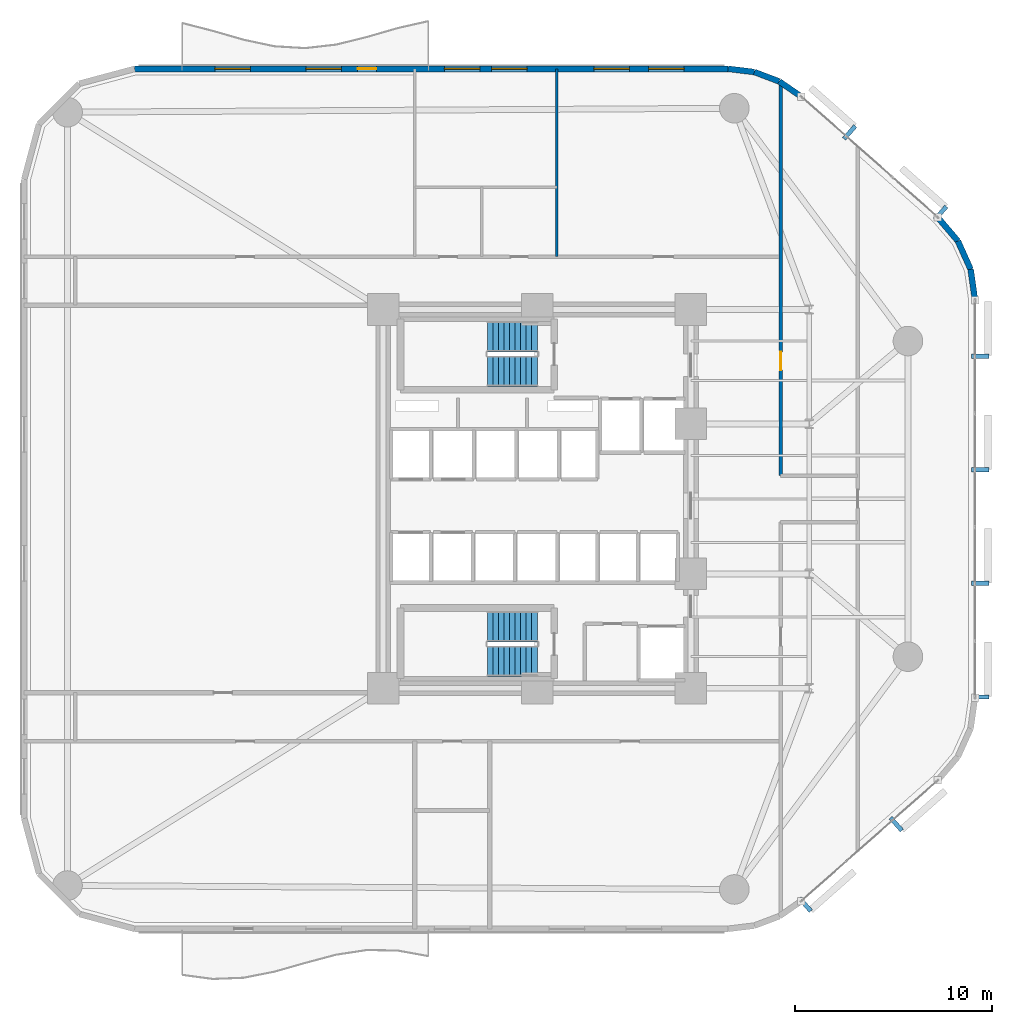
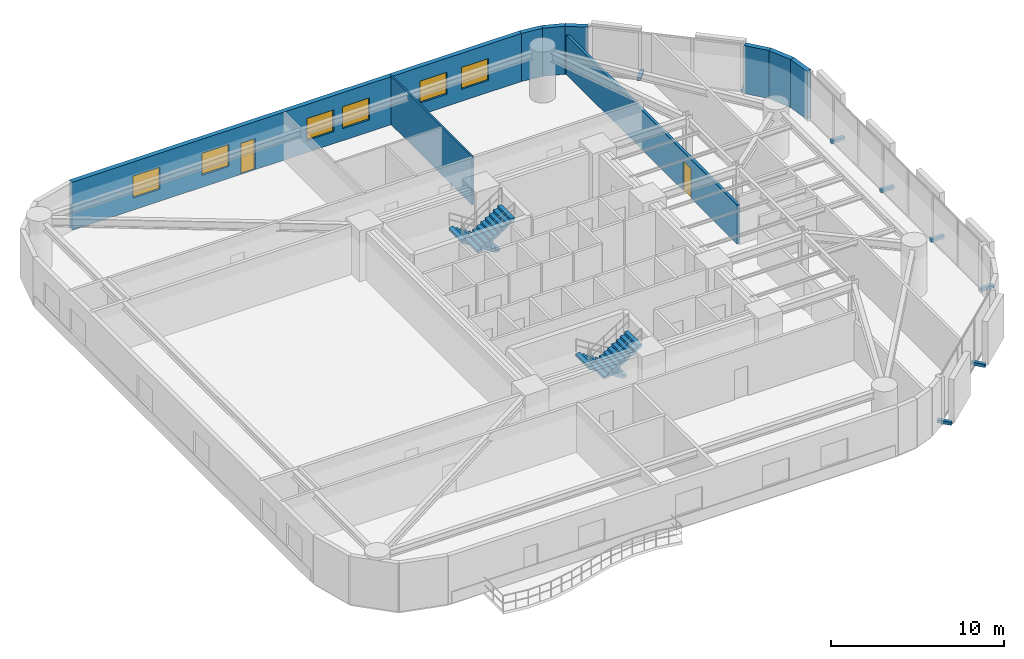
# One storey, part 12 of 15: 9 walls, 8 discrete accessories, 6 windows, 4 stair flights, 2 doors, 8 openings, 2 elements without a shape of their own.
"""IFC4 building model written with IfcOpenShell, lengths in metres."""

import ifcopenshell
import ifcopenshell.guid

model = None  # the IFC model being written
_history = None  # IfcOwnerHistory: only IFC2X3 demands one
_inside = {}  # id of a spatial element -> (the spatial element, [elements in it])
_under = {}  # id of a project, library or spatial element -> (it, [spatial elements below it])
_declared = {}  # id of a project -> (the project, [libraries it declares])
_typed = {}  # id of a type object -> (the type object, [elements of that type])
_made_of = {}  # id of a material, layer set ... -> (it, [elements and type objects made of it])


def new_model(schema):
    """Start an empty IFC model of exactly this schema.

    Asked for "IFC4X3", IfcOpenShell would pick the latest addendum, in which some entities
    have other attributes; the version numbers below select the first issue.
    IFC2X3 requires an IfcOwnerHistory on every rooted entity: one is made here for all.
    """
    global model, _history
    if schema == "IFC4X3":
        model = ifcopenshell.file(schema_version=(4, 3, 0, 0))
    else:
        model = ifcopenshell.file(schema=schema)
    _inside.clear()
    _under.clear()
    _declared.clear()
    _typed.clear()
    _made_of.clear()
    _history = None
    if model.schema == "IFC2X3":
        org = make("IfcOrganization", Name="unknown")
        user = make(
            "IfcPersonAndOrganization",
            ThePerson=make("IfcPerson", FamilyName="unknown"),
            TheOrganization=org,
        )
        app = make(
            "IfcApplication",
            ApplicationDeveloper=org,
            Version="unknown",
            ApplicationFullName="unknown",
            ApplicationIdentifier="unknown",
        )
        _history = make(
            "IfcOwnerHistory",
            OwningUser=user,
            OwningApplication=app,
            ChangeAction="ADDED",
            CreationDate=0,
        )
    return model


def make(cls, **values):
    """One entity of the class cls with the attributes given. An attribute that is None is left unset."""
    return model.create_entity(
        cls, **{name: value for name, value in values.items() if value is not None}
    )


def rooted(cls, **values):
    """An entity with a GlobalId (a new one), such as an element, a storey or a relation."""
    return make(cls, GlobalId=ifcopenshell.guid.new(), OwnerHistory=_history, **values)


def si_unit(unit_type, name, prefix=None):
    """IfcSIUnit, for example si_unit("LENGTHUNIT", "METRE", prefix="MILLI")."""
    return make("IfcSIUnit", UnitType=unit_type, Prefix=prefix, Name=name)


def assignment(units):
    """IfcUnitAssignment: the units of a project."""
    return None if units is None else make("IfcUnitAssignment", Units=units)


def point(xyz):
    """IfcCartesianPoint."""
    return None if xyz is None else make("IfcCartesianPoint", Coordinates=xyz)


def direction(xyz):
    """IfcDirection."""
    return None if xyz is None else make("IfcDirection", DirectionRatios=xyz)


def frame(location, z_axis=None, x_axis=None):
    """IfcAxis2Placement3D, a coordinate frame: its origin and axes. An axis left out is left unset."""
    return make(
        "IfcAxis2Placement3D",
        Location=point(location),
        Axis=direction(z_axis),
        RefDirection=direction(x_axis),
    )


def frame_2d(location, x_axis=None):
    """IfcAxis2Placement2D, a coordinate frame in the plane: its origin and x axis."""
    return make(
        "IfcAxis2Placement2D", Location=point(location), RefDirection=direction(x_axis)
    )


def origin():
    """The frame at (0, 0, 0) with its axes left unset."""
    return frame((0.0, 0.0, 0.0))


def origin_2d():
    """The frame at (0, 0) in the plane with its x axis left unset."""
    return frame_2d((0.0, 0.0))


def place(relative_to, where):
    """IfcLocalPlacement: puts the frame where relative to a parent placement (None: the world)."""
    return make(
        "IfcLocalPlacement", PlacementRelTo=relative_to, RelativePlacement=where
    )


def context(
    kind, dimensions, precision=None, world=None, true_north=None, identifier=None
):
    """IfcGeometricRepresentationContext, for example the 3D "Model" context."""
    return make(
        "IfcGeometricRepresentationContext",
        ContextIdentifier=identifier,
        ContextType=kind,
        CoordinateSpaceDimension=dimensions,
        Precision=precision,
        WorldCoordinateSystem=world,
        TrueNorth=true_north,
    )


def subcontext(parent, identifier, kind, view, scale=None):
    """IfcGeometricRepresentationSubContext, for example "Body" below "Model"."""
    return make(
        "IfcGeometricRepresentationSubContext",
        ContextIdentifier=identifier,
        ContextType=kind,
        ParentContext=parent,
        TargetScale=scale,
        TargetView=view,
    )


def project(units=None, contexts=None):
    """IfcProject with its units and contexts."""
    return rooted(
        "IfcProject",
        Name="project",
        RepresentationContexts=contexts,
        UnitsInContext=assignment(units),
    )


def spatial(cls, under=None, at=None, **own):
    """A site, building, storey or space (cls), placed at a placement, below another one or the project."""
    s = rooted(cls, ObjectPlacement=at, **own)
    if under is not None:
        _under.setdefault(under.id(), (under, []))[1].append(s)
    return s


def polyline(points):
    """IfcPolyline through the points."""
    return make("IfcPolyline", Points=[point(p) for p in points])


def profile(cls, at=None, kind="AREA", **sizes):
    """A parametric profile (cls). Its sizes go by their IFC names, for example OverallWidth=200.0."""
    return make(cls, ProfileType=kind, Position=at, **sizes)


def rectangle(**sizes):
    """IfcRectangleProfileDef."""
    return profile("IfcRectangleProfileDef", **sizes)


def outline(outer, holes=None, kind="AREA"):
    """IfcArbitraryClosedProfileDef: a profile drawn as a closed curve; with holes, ...WithVoids."""
    if holes is None:
        return make("IfcArbitraryClosedProfileDef", ProfileType=kind, OuterCurve=outer)
    return make(
        "IfcArbitraryProfileDefWithVoids",
        ProfileType=kind,
        OuterCurve=outer,
        InnerCurves=holes,
    )


def extrude(swept, where, along, depth):
    """IfcExtrudedAreaSolid: the profile swept, set in the frame where, extruded along a direction by depth."""
    return make(
        "IfcExtrudedAreaSolid",
        SweptArea=swept,
        Position=where,
        ExtrudedDirection=direction(along),
        Depth=depth,
    )


def shape(context_of_items, identifier, shape_type, items):
    """IfcShapeRepresentation: the items that make up one representation, for example the "Body"."""
    return make(
        "IfcShapeRepresentation",
        ContextOfItems=context_of_items,
        RepresentationIdentifier=identifier,
        RepresentationType=shape_type,
        Items=items,
    )


def material(Name=None, Category=None):
    """IfcMaterial."""
    return make("IfcMaterial", Name=Name, Category=Category)


def layer(
    of_material, thickness, ventilated=None, Name=None, Category=None, Priority=None
):
    """IfcMaterialLayer: one layer of a wall or slab, of a material (None: an air gap)."""
    return make(
        "IfcMaterialLayer",
        Material=of_material,
        LayerThickness=thickness,
        IsVentilated=ventilated,
        Name=Name,
        Category=Category,
        Priority=Priority,
    )


def layer_set(layers, Name=None):
    """IfcMaterialLayerSet."""
    return make("IfcMaterialLayerSet", MaterialLayers=layers, LayerSetName=Name)


def made_of(thing, what):
    """Note that an element or type object is made of a material, layer set ...; save() writes the relation."""
    if what is not None:
        _made_of.setdefault(what.id(), (what, []))[1].append(thing)
    return thing


def type_object(cls, material=None, **own):
    """A type object (cls), such as IfcWallType, which elements share."""
    return made_of(rooted(cls, **own), material)


def element(
    cls,
    number,
    at=None,
    inside=None,
    cuts=None,
    type_object=None,
    material=None,
    context=None,
    identifier="Body",
    shape_type=None,
    held_by="IfcProductDefinitionShape",
    body=None,
    shapes=None,
    **own,
):
    """One element of the class cls, such as IfcWall. Its Tag is "e" and its number.

    at: its placement. inside: the storey or other place that contains it. cuts: it is an
    opening in that element (IfcRelVoidsElement). A single representation is given by context,
    identifier, shape_type and body (its items); several are given by shapes. held_by: the class
    of the entity that holds the representations. save() writes the other relations.
    """
    e = rooted(cls, Tag="e%d" % number, ObjectPlacement=at, **own)
    if body is not None:
        shapes = [shape(context, identifier, shape_type, body)]
    if shapes is not None:
        e.Representation = make(held_by, Representations=shapes)
    if inside is not None:
        _inside.setdefault(inside.id(), (inside, []))[1].append(e)
    if cuts is not None:
        rooted(
            "IfcRelVoidsElement", RelatingBuildingElement=cuts, RelatedOpeningElement=e
        )
    if type_object is not None:
        _typed.setdefault(type_object.id(), (type_object, []))[1].append(e)
    return made_of(e, material)


def fill(opening, filler):
    """IfcRelFillsElement: the door or window that sits in an opening."""
    return rooted(
        "IfcRelFillsElement",
        RelatingOpeningElement=opening,
        RelatedBuildingElement=filler,
    )


def aggregate(whole, parts):
    """IfcRelAggregates: a whole, such as a stair, and the parts it consists of."""
    return rooted("IfcRelAggregates", RelatingObject=whole, RelatedObjects=parts)


def save(model, path):
    """Write the relations noted so far, then the file.

    IfcRelAggregates (storeys below a building ...), IfcRelContainedInSpatialStructure (elements
    in a storey), IfcRelDefinesByType, IfcRelAssociatesMaterial and IfcRelDeclares: one each for
    every whole, place, type object, material and project.
    """
    for whole, parts in _under.values():
        aggregate(whole, parts)
    for where, things in _inside.values():
        rooted(
            "IfcRelContainedInSpatialStructure",
            RelatedElements=things,
            RelatingStructure=where,
        )
    for kind, things in _typed.values():
        rooted("IfcRelDefinesByType", RelatedObjects=things, RelatingType=kind)
    for what, things in _made_of.values():
        rooted("IfcRelAssociatesMaterial", RelatedObjects=things, RelatingMaterial=what)
    for by, libraries in _declared.values():
        rooted("IfcRelDeclares", RelatingContext=by, RelatedDefinitions=libraries)
    model.write(path)


model = new_model("IFC4")

# Units and contexts
model_context = context("Model", 3, precision=1e-05, world=origin(), true_north=direction((0.0, 1.0)))
body_context = subcontext(model_context, "Body", "Model", "MODEL_VIEW")
ifc_project = project(units=[si_unit("LENGTHUNIT", "METRE"), si_unit("AREAUNIT", "SQUARE_METRE"), si_unit("VOLUMEUNIT", "CUBIC_METRE"), si_unit("PLANEANGLEUNIT", "RADIAN"), si_unit("MASSUNIT", "GRAM", prefix="KILO")], contexts=[model_context])

# Site, building, storey
site_placement = place(None, origin())
site = spatial("IfcSite", under=ifc_project, at=site_placement, CompositionType="ELEMENT")
building_placement = place(site_placement, origin())
building = spatial("IfcBuilding", under=site, at=building_placement, Name="An Khanh Terracotta Commons", CompositionType="ELEMENT")
storey_placement = place(building_placement, frame((0.0, 0.0, 64.800048828125)))
storey = spatial("IfcBuildingStorey", under=building, at=storey_placement, Name="L17", CompositionType="ELEMENT", Elevation=64.800048828125)

# Wall, opening, door
ifc_material_1 = material(Name="Fire-Rated Gypsum Board on Steel Stud", Category="steel")
ifc_layer_1 = layer(ifc_material_1, 0.179931640625, Name="Fire-Rated Gypsum Board on Steel Stud")
ifc_layer_set_1 = layer_set([ifc_layer_1], Name="Fire-Rated Gypsum Board on Steel Stud")
wall_type_1 = type_object("IfcWallType", Name="WALL-CORR-180", PredefinedType="PARTITIONING", material=ifc_layer_set_1)
wall_1_placement = place(storey_placement, frame((41.75, 25.179931640625, 0.0), z_axis=(0.0, 0.0, 1.0), x_axis=(0.0, 1.0, 0.0)))
wall_1 = element("IfcWall", 1, at=wall_1_placement, inside=storey, type_object=wall_type_1, Name="L17 Interior Partition IW-L17-E017", PredefinedType="PARTITIONING", context=body_context, shape_type="SweptSolid", body=[
    extrude(rectangle(XDim=19.93115234375, YDim=0.179931640625, at=frame_2d((9.965576171875, 0.0))), origin(), (0.0, 0.0, 1.0), 2.781982421875),
])
opening_1_placement = place(wall_1_placement, frame((5.35009765625, 0.0, 0.0)))
opening_1 = element("IfcOpeningElement", 2, at=opening_1_placement, cuts=wall_1, Name="Opening D-RM", PredefinedType="OPENING", context=body_context, shape_type="SweptSolid", body=[
    extrude(rectangle(XDim=0.919921875, YDim=2.10009765625, at=frame_2d((0.4599609375, 1.050048828125))), frame((0.0, 0.099853515625, 0.0), z_axis=(0.0, -1.0, 0.0), x_axis=(1.0, 0.0, 0.0)), (0.0, 0.0, 1.0), 0.199951171875),
])
ifc_material_2 = material(Name="Engineered Hardwood Timber Leaf", Category="wood")
door_type_1 = type_object("IfcDoorType", Name="DOOR-INT-920", OperationType="NOTDEFINED", PredefinedType="DOOR", material=ifc_material_2)
door_1_placement = place(opening_1_placement, origin())
door_1 = element("IfcDoor", 3, at=door_1_placement, inside=storey, type_object=door_type_1, Name="L17 SPN1 Research Study Office Door", OperationType="SINGLE_SWING_RIGHT", OverallHeight=2.10009765625, OverallWidth=0.919921875, PredefinedType="DOOR", context=body_context, shape_type="SweptSolid", body=[
    extrude(rectangle(XDim=0.919921875, YDim=2.10009765625, at=frame_2d((0.4599609375, 1.050048828125))), frame((0.0, 0.02490234375, 0.0), z_axis=(0.0, -1.0, 0.0), x_axis=(1.0, 0.0, 0.0)), (0.0, 0.0, 1.0), 0.050048828125),
])
fill(opening_1, door_1)

# Walls
ifc_material_3 = material(Name="Precast concrete C40/50", Category="concrete")
ifc_layer_2 = layer(ifc_material_3, 0.300048828125, Name="Precast concrete C40/50")
ifc_layer_set_2 = layer_set([ifc_layer_2], Name="Precast concrete C40/50")
wall_type_2 = type_object("IfcWallType", Name="WALL-EXT-300", PredefinedType="SOLIDWALL", material=ifc_layer_set_2)
wall_2_placement = place(storey_placement, frame((51.60009765625, 34.076904296875, 0.0), z_axis=(0.0, 0.0, 1.0), x_axis=(-0.140380048512, 0.990097693149, 0.0)))
element("IfcWall", 4, at=wall_2_placement, inside=storey, type_object=wall_type_2, Name="L17 Insulated Terracotta Exterior Wall 13", PredefinedType="SOLIDWALL", context=body_context, shape_type="SweptSolid", body=[
    extrude(rectangle(XDim=1.57568359375, YDim=0.300048828125, at=frame_2d((0.787841796875, 0.0))), origin(), (0.0, 0.0, 1.0), 3.39990234375),
])
wall_3_placement = place(storey_placement, frame((51.37890625, 35.636962890625, 0.0), z_axis=(0.0, 0.0, 1.0), x_axis=(-0.410996558744, 0.911636895206, 0.0)))
element("IfcWall", 5, at=wall_3_placement, inside=storey, type_object=wall_type_2, Name="L17 Insulated Terracotta Exterior Wall 14", PredefinedType="SOLIDWALL", context=body_context, shape_type="SweptSolid", body=[
    extrude(rectangle(XDim=1.57421875, YDim=0.300048828125, at=frame_2d((0.787109375, 0.0))), origin(), (0.0, 0.0, 1.0), 3.39990234375),
])
wall_4_placement = place(storey_placement, frame((50.73193359375, 37.072021484375, 0.0), z_axis=(0.0, 0.0, 1.0), x_axis=(-0.648389989909, 0.7613083613, 0.0)))
element("IfcWall", 6, at=wall_4_placement, inside=storey, type_object=wall_type_2, Name="L17 Insulated Terracotta Exterior Wall 15", PredefinedType="SOLIDWALL", context=body_context, shape_type="SweptSolid", body=[
    extrude(rectangle(XDim=1.576171875, YDim=0.300048828125, at=frame_2d((0.7880859375, 0.0))), origin(), (0.0, 0.0, 1.0), 3.39990234375),
])
wall_5_placement = place(storey_placement, frame((42.7890625, 44.39404296875, 0.0), z_axis=(0.0, 0.0, 1.0), x_axis=(-0.823116500192, 0.567872544777, 0.0)))
element("IfcWall", 7, at=wall_5_placement, inside=storey, type_object=wall_type_2, Name="L17 Insulated Terracotta Exterior Wall 17", PredefinedType="SOLIDWALL", context=body_context, shape_type="SweptSolid", body=[
    extrude(rectangle(XDim=1.3486328125, YDim=0.300048828125, at=frame_2d((0.67431640625, 0.0))), origin(), (0.0, 0.0, 1.0), 3.39990234375),
])
wall_6_placement = place(storey_placement, frame((41.678955078125, 45.159912109375, 0.0), z_axis=(0.0, 0.0, 1.0), x_axis=(-0.935156721165, 0.354234254216, 0.0)))
element("IfcWall", 8, at=wall_6_placement, inside=storey, type_object=wall_type_2, Name="L17 Insulated Terracotta Exterior Wall 18", PredefinedType="SOLIDWALL", context=body_context, shape_type="SweptSolid", body=[
    extrude(rectangle(XDim=1.349365234375, YDim=0.300048828125, at=frame_2d((0.6748046875, 0.0))), origin(), (0.0, 0.0, 1.0), 3.39990234375),
])
wall_7_placement = place(storey_placement, frame((40.4169921875, 45.637939453125, 0.0), z_axis=(0.0, 0.0, 1.0), x_axis=(-0.992739027259, 0.120288086515, 0.0)))
element("IfcWall", 9, at=wall_7_placement, inside=storey, type_object=wall_type_2, Name="L17 Insulated Terracotta Exterior Wall 19", PredefinedType="SOLIDWALL", context=body_context, shape_type="SweptSolid", body=[
    extrude(rectangle(XDim=1.34765625, YDim=0.300048828125, at=frame_2d((0.673828125, 0.0))), origin(), (0.0, 0.0, 1.0), 3.39990234375),
])

# Wall, openings, door, windows
wall_8_placement = place(storey_placement, frame((39.0791015625, 45.800048828125, 0.0), z_axis=(0.0, 0.0, 1.0), x_axis=(-1.0, 0.0, 0.0)))
wall_8 = element("IfcWall", 10, at=wall_8_placement, inside=storey, type_object=wall_type_2, Name="L17 Insulated Terracotta Exterior Wall 20", PredefinedType="SOLIDWALL", context=body_context, shape_type="SweptSolid", body=[
    extrude(rectangle(XDim=30.0791015625, YDim=0.300048828125, at=frame_2d((15.03955078125, 0.0))), origin(), (0.0, 0.0, 1.0), 3.39990234375),
])
opening_2_placement = place(wall_8_placement, frame((17.8291015625, 0.0, 0.0)))
opening_2 = element("IfcOpeningElement", 11, at=opening_2_placement, cuts=wall_8, Name="Opening D-BAL", PredefinedType="OPENING", context=body_context, shape_type="SweptSolid", body=[
    extrude(rectangle(XDim=0.949951171875, YDim=2.199951171875, at=frame_2d((0.47509765625, 1.10009765625))), frame((0.0, 0.159912109375, 0.0), z_axis=(0.0, -1.0, 0.0), x_axis=(1.0, 0.0, 0.0)), (0.0, 0.0, 1.0), 0.320068359375),
])
opening_3_placement = place(wall_8_placement, frame((2.22607421875, 0.0, 0.85009765625)))
opening_3 = element("IfcOpeningElement", 12, at=opening_3_placement, cuts=wall_8, Name="Opening W-01", PredefinedType="OPENING", context=body_context, shape_type="SweptSolid", body=[
    extrude(rectangle(XDim=1.800048828125, YDim=1.550048828125, at=frame_2d((0.89990234375, 0.77490234375))), frame((0.0, 0.159912109375, 0.0), z_axis=(0.0, -1.0, 0.0), x_axis=(1.0, 0.0, 0.0)), (0.0, 0.0, 1.0), 0.320068359375),
])
opening_4_placement = place(wall_8_placement, frame((5.0029296875, 0.0, 0.85009765625)))
opening_4 = element("IfcOpeningElement", 13, at=opening_4_placement, cuts=wall_8, Name="Opening W-01", PredefinedType="OPENING", context=body_context, shape_type="SweptSolid", body=[
    extrude(rectangle(XDim=1.800048828125, YDim=1.550048828125, at=frame_2d((0.89990234375, 0.77490234375))), frame((0.0, 0.159912109375, 0.0), z_axis=(0.0, -1.0, 0.0), x_axis=(1.0, 0.0, 0.0)), (0.0, 0.0, 1.0), 0.320068359375),
])
opening_5_placement = place(wall_8_placement, frame((10.178955078125, 0.0, 0.85009765625)))
opening_5 = element("IfcOpeningElement", 14, at=opening_5_placement, cuts=wall_8, Name="Opening W-01", PredefinedType="OPENING", context=body_context, shape_type="SweptSolid", body=[
    extrude(rectangle(XDim=1.800048828125, YDim=1.550048828125, at=frame_2d((0.89990234375, 0.77490234375))), frame((0.0, 0.159912109375, 0.0), z_axis=(0.0, -1.0, 0.0), x_axis=(1.0, 0.0, 0.0)), (0.0, 0.0, 1.0), 0.320068359375),
])
opening_6_placement = place(wall_8_placement, frame((12.5791015625, 0.0, 0.85009765625)))
opening_6 = element("IfcOpeningElement", 15, at=opening_6_placement, cuts=wall_8, Name="Opening W-01", PredefinedType="OPENING", context=body_context, shape_type="SweptSolid", body=[
    extrude(rectangle(XDim=1.800048828125, YDim=1.550048828125, at=frame_2d((0.89990234375, 0.77490234375))), frame((0.0, 0.159912109375, 0.0), z_axis=(0.0, -1.0, 0.0), x_axis=(1.0, 0.0, 0.0)), (0.0, 0.0, 1.0), 0.320068359375),
])
opening_7_placement = place(wall_8_placement, frame((19.595947265625, 0.0, 0.85009765625)))
opening_7 = element("IfcOpeningElement", 16, at=opening_7_placement, cuts=wall_8, Name="Opening W-01", PredefinedType="OPENING", context=body_context, shape_type="SweptSolid", body=[
    extrude(rectangle(XDim=1.800048828125, YDim=1.550048828125, at=frame_2d((0.89990234375, 0.77490234375))), frame((0.0, 0.159912109375, 0.0), z_axis=(0.0, -1.0, 0.0), x_axis=(1.0, 0.0, 0.0)), (0.0, 0.0, 1.0), 0.320068359375),
])
opening_8_placement = place(wall_8_placement, frame((24.2119140625, 0.0, 0.85009765625)))
opening_8 = element("IfcOpeningElement", 17, at=opening_8_placement, cuts=wall_8, Name="Opening W-01", PredefinedType="OPENING", context=body_context, shape_type="SweptSolid", body=[
    extrude(rectangle(XDim=1.800048828125, YDim=1.550048828125, at=frame_2d((0.89990234375, 0.77490234375))), frame((0.0, 0.159912109375, 0.0), z_axis=(0.0, -1.0, 0.0), x_axis=(1.0, 0.0, 0.0)), (0.0, 0.0, 1.0), 0.320068359375),
])
ifc_material_4 = material(Name="Thermally Broken Aluminium and Low-E Glass", Category="aluminium")
door_type_2 = type_object("IfcDoorType", Name="DOOR-BALC-950", OperationType="NOTDEFINED", PredefinedType="DOOR", material=ifc_material_4)
door_2_placement = place(opening_2_placement, origin())
door_2 = element("IfcDoor", 18, at=door_2_placement, inside=storey, type_object=door_type_2, Name="L17 N Wave Balcony Glazed Door", OperationType="SINGLE_SWING_RIGHT", OverallHeight=2.199951171875, OverallWidth=0.949951171875, PredefinedType="DOOR", context=body_context, shape_type="SweptSolid", body=[
    extrude(rectangle(XDim=0.949951171875, YDim=2.199951171875, at=frame_2d((0.47509765625, 1.10009765625))), frame((0.0, 0.02490234375, 0.0), z_axis=(0.0, -1.0, 0.0), x_axis=(1.0, 0.0, 0.0)), (0.0, 0.0, 1.0), 0.050048828125),
])
fill(opening_2, door_2)
window_type = type_object("IfcWindowType", Name="WIN-Z1-1800x1550", PartitioningType="DOUBLE_PANEL_VERTICAL", PredefinedType="WINDOW", material=ifc_material_4)
window_1_placement = place(opening_3_placement, origin())
window_1 = element("IfcWindow", 19, at=window_1_placement, inside=storey, type_object=window_type, Name="L17 Operable Casement Window 20.1", OverallHeight=1.550048828125, OverallWidth=1.800048828125, PartitioningType="DOUBLE_PANEL_VERTICAL", PredefinedType="WINDOW", context=body_context, shape_type="SweptSolid", body=[
    extrude(rectangle(XDim=1.800048828125, YDim=1.550048828125, at=frame_2d((0.89990234375, 0.77490234375))), frame((0.0, 0.030029296875, 0.0), z_axis=(0.0, -1.0, 0.0), x_axis=(1.0, 0.0, 0.0)), (0.0, 0.0, 1.0), 0.06005859375),
])
fill(opening_3, window_1)
window_2_placement = place(opening_4_placement, origin())
window_2 = element("IfcWindow", 20, at=window_2_placement, inside=storey, type_object=window_type, Name="L17 Operable Casement Window 20.2", OverallHeight=1.550048828125, OverallWidth=1.800048828125, PartitioningType="DOUBLE_PANEL_VERTICAL", PredefinedType="WINDOW", context=body_context, shape_type="SweptSolid", body=[
    extrude(rectangle(XDim=1.800048828125, YDim=1.550048828125, at=frame_2d((0.89990234375, 0.77490234375))), frame((0.0, 0.030029296875, 0.0), z_axis=(0.0, -1.0, 0.0), x_axis=(1.0, 0.0, 0.0)), (0.0, 0.0, 1.0), 0.06005859375),
])
fill(opening_4, window_2)
window_3_placement = place(opening_5_placement, origin())
window_3 = element("IfcWindow", 21, at=window_3_placement, inside=storey, type_object=window_type, Name="L17 Operable Casement Window 20.3", OverallHeight=1.550048828125, OverallWidth=1.800048828125, PartitioningType="DOUBLE_PANEL_VERTICAL", PredefinedType="WINDOW", context=body_context, shape_type="SweptSolid", body=[
    extrude(rectangle(XDim=1.800048828125, YDim=1.550048828125, at=frame_2d((0.89990234375, 0.77490234375))), frame((0.0, 0.030029296875, 0.0), z_axis=(0.0, -1.0, 0.0), x_axis=(1.0, 0.0, 0.0)), (0.0, 0.0, 1.0), 0.06005859375),
])
fill(opening_5, window_3)
window_4_placement = place(opening_6_placement, origin())
window_4 = element("IfcWindow", 22, at=window_4_placement, inside=storey, type_object=window_type, Name="L17 Operable Casement Window 20.4", OverallHeight=1.550048828125, OverallWidth=1.800048828125, PartitioningType="DOUBLE_PANEL_VERTICAL", PredefinedType="WINDOW", context=body_context, shape_type="SweptSolid", body=[
    extrude(rectangle(XDim=1.800048828125, YDim=1.550048828125, at=frame_2d((0.89990234375, 0.77490234375))), frame((0.0, 0.030029296875, 0.0), z_axis=(0.0, -1.0, 0.0), x_axis=(1.0, 0.0, 0.0)), (0.0, 0.0, 1.0), 0.06005859375),
])
fill(opening_6, window_4)
window_5_placement = place(opening_7_placement, origin())
window_5 = element("IfcWindow", 23, at=window_5_placement, inside=storey, type_object=window_type, Name="L17 Operable Casement Window 20.5", OverallHeight=1.550048828125, OverallWidth=1.800048828125, PartitioningType="DOUBLE_PANEL_VERTICAL", PredefinedType="WINDOW", context=body_context, shape_type="SweptSolid", body=[
    extrude(rectangle(XDim=1.800048828125, YDim=1.550048828125, at=frame_2d((0.89990234375, 0.77490234375))), frame((0.0, 0.030029296875, 0.0), z_axis=(0.0, -1.0, 0.0), x_axis=(1.0, 0.0, 0.0)), (0.0, 0.0, 1.0), 0.06005859375),
])
fill(opening_7, window_5)
window_6_placement = place(opening_8_placement, origin())
window_6 = element("IfcWindow", 24, at=window_6_placement, inside=storey, type_object=window_type, Name="L17 Operable Casement Window 20.6", OverallHeight=1.550048828125, OverallWidth=1.800048828125, PartitioningType="DOUBLE_PANEL_VERTICAL", PredefinedType="WINDOW", context=body_context, shape_type="SweptSolid", body=[
    extrude(rectangle(XDim=1.800048828125, YDim=1.550048828125, at=frame_2d((0.89990234375, 0.77490234375))), frame((0.0, 0.030029296875, 0.0), z_axis=(0.0, -1.0, 0.0), x_axis=(1.0, 0.0, 0.0)), (0.0, 0.0, 1.0), 0.06005859375),
])
fill(opening_8, window_6)

# Wall
ifc_material_5 = material(Name="Moisture-Resistant Cement Board Partition")
ifc_layer_3 = layer(ifc_material_5, 0.1201171875, Name="Moisture-Resistant Cement Board Partition")
ifc_layer_set_3 = layer_set([ifc_layer_3], Name="Moisture-Resistant Cement Board Partition")
wall_type_3 = type_object("IfcWallType", Name="WALL-WET-120", PredefinedType="PARTITIONING", material=ifc_layer_set_3)
wall_9_placement = place(storey_placement, frame((30.39990234375, 36.280029296875, 0.0), z_axis=(0.0, 0.0, 1.0), x_axis=(0.0, 1.0, 0.0)))
element("IfcWall", 25, at=wall_9_placement, inside=storey, type_object=wall_type_3, Name="L17 Interior Partition IW-L17-E015", PredefinedType="PARTITIONING", context=body_context, shape_type="SweptSolid", body=[
    extrude(rectangle(XDim=9.52001953125, YDim=0.1201171875, at=frame_2d((4.760009765625, 0.0))), origin(), (0.0, 0.0, 1.0), 3.39990234375),
])

# Stair, stair flights
stair_type = type_object("IfcStairType", Name="STAIR-CORE-1550", PredefinedType="HALF_TURN_STAIR", material=ifc_material_3)
stair_1_placement = place(storey_placement, origin())
stair_1 = element("IfcStair", 26, at=stair_1_placement, inside=storey, type_object=stair_type, Name="L17 Core Smokeproof Exit Stair ST-01", PredefinedType="HALF_TURN_STAIR")
stair_flight_type = type_object("IfcStairFlightType", Name="FLIGHT-CORE-1550", PredefinedType="STRAIGHT", material=ifc_material_3)
stair_flight_1_placement = place(storey_placement, frame((29.409912109375, 32.22509765625, 0.0), z_axis=(0.0, 0.0, 1.0), x_axis=(-1.0, 0.0, 0.0)))
stair_flight_1 = element("IfcStairFlight", 27, at=stair_flight_1_placement, type_object=stair_flight_type, Name="ST-01 flight 1", NumberOfRisers=10, NumberOfTreads=9, PredefinedType="STRAIGHT", RiserHeight=0.18, TreadLength=0.28, context=body_context, shape_type="SweptSolid", body=[
    extrude(outline(polyline([(0.0, 0.0), (0.0, 0.179931640625), (0.280029296875, 0.179931640625), (0.280029296875, 0.360107421875), (0.56005859375, 0.360107421875), (0.56005859375, 0.5400390625), (0.840087890625, 0.5400390625), (0.840087890625, 0.719970703125), (1.1201171875, 0.719970703125), (1.1201171875, 0.89990234375), (1.39990234375, 0.89990234375), (1.39990234375, 1.080078125), (1.679931640625, 1.080078125), (1.679931640625, 1.260009765625), (1.9599609375, 1.260009765625), (1.9599609375, 1.43994140625), (2.239990234375, 1.43994140625), (2.239990234375, 1.6201171875), (2.52001953125, 1.6201171875), (2.52001953125, 1.800048828125), (2.52001953125, 1.44189453125), (0.277099609375, 0.0), (0.0, 0.0)])), frame((0.0, 0.77490234375, 0.0), z_axis=(0.0, -1.0, 0.0), x_axis=(1.0, 0.0, 0.0)), (0.0, 0.0, 1.0), 1.550048828125),
])
stair_flight_2_placement = place(storey_placement, frame((26.889892578125, 30.47509765625, 1.800048828125), z_axis=(0.0, 0.0, 1.0), x_axis=(1.0, 0.0, 0.0)))
stair_flight_2 = element("IfcStairFlight", 28, at=stair_flight_2_placement, type_object=stair_flight_type, Name="ST-01 flight 2", NumberOfRisers=10, NumberOfTreads=9, PredefinedType="STRAIGHT", RiserHeight=0.18, TreadLength=0.28, context=body_context, shape_type="SweptSolid", body=[
    extrude(outline(polyline([(0.0, 0.0), (0.0, 0.179931640625), (0.280029296875, 0.179931640625), (0.280029296875, 0.360107421875), (0.56005859375, 0.360107421875), (0.56005859375, 0.5400390625), (0.840087890625, 0.5400390625), (0.840087890625, 0.719970703125), (1.1201171875, 0.719970703125), (1.1201171875, 0.89990234375), (1.39990234375, 0.89990234375), (1.39990234375, 1.080078125), (1.679931640625, 1.080078125), (1.679931640625, 1.260009765625), (1.9599609375, 1.260009765625), (1.9599609375, 1.43994140625), (2.239990234375, 1.43994140625), (2.239990234375, 1.6201171875), (2.52001953125, 1.6201171875), (2.52001953125, 1.800048828125), (2.52001953125, 1.44189453125), (0.277099609375, 0.0), (0.0, 0.0)])), frame((0.0, 0.77490234375, 0.0), z_axis=(0.0, -1.0, 0.0), x_axis=(1.0, 0.0, 0.0)), (0.0, 0.0, 1.0), 1.550048828125),
])
aggregate(stair_1, [stair_flight_1, stair_flight_2])

stair_2_placement = place(storey_placement, origin())
stair_2 = element("IfcStair", 29, at=stair_2_placement, inside=storey, type_object=stair_type, Name="L17 Core Smokeproof Exit Stair ST-02", PredefinedType="HALF_TURN_STAIR")
stair_flight_3_placement = place(storey_placement, frame((29.409912109375, 17.52490234375, 0.0), z_axis=(0.0, 0.0, 1.0), x_axis=(-1.0, 0.0, 0.0)))
stair_flight_3 = element("IfcStairFlight", 30, at=stair_flight_3_placement, type_object=stair_flight_type, Name="ST-02 flight 1", NumberOfRisers=10, NumberOfTreads=9, PredefinedType="STRAIGHT", RiserHeight=0.18, TreadLength=0.28, context=body_context, shape_type="SweptSolid", body=[
    extrude(outline(polyline([(0.0, 0.0), (0.0, 0.179931640625), (0.280029296875, 0.179931640625), (0.280029296875, 0.360107421875), (0.56005859375, 0.360107421875), (0.56005859375, 0.5400390625), (0.840087890625, 0.5400390625), (0.840087890625, 0.719970703125), (1.1201171875, 0.719970703125), (1.1201171875, 0.89990234375), (1.39990234375, 0.89990234375), (1.39990234375, 1.080078125), (1.679931640625, 1.080078125), (1.679931640625, 1.260009765625), (1.9599609375, 1.260009765625), (1.9599609375, 1.43994140625), (2.239990234375, 1.43994140625), (2.239990234375, 1.6201171875), (2.52001953125, 1.6201171875), (2.52001953125, 1.800048828125), (2.52001953125, 1.44189453125), (0.277099609375, 0.0), (0.0, 0.0)])), frame((0.0, 0.77490234375, 0.0), z_axis=(0.0, -1.0, 0.0), x_axis=(1.0, 0.0, 0.0)), (0.0, 0.0, 1.0), 1.550048828125),
])
stair_flight_4_placement = place(storey_placement, frame((26.889892578125, 15.77490234375, 1.800048828125), z_axis=(0.0, 0.0, 1.0), x_axis=(1.0, 0.0, 0.0)))
stair_flight_4 = element("IfcStairFlight", 31, at=stair_flight_4_placement, type_object=stair_flight_type, Name="ST-02 flight 2", NumberOfRisers=10, NumberOfTreads=9, PredefinedType="STRAIGHT", RiserHeight=0.18, TreadLength=0.28, context=body_context, shape_type="SweptSolid", body=[
    extrude(outline(polyline([(0.0, 0.0), (0.0, 0.179931640625), (0.280029296875, 0.179931640625), (0.280029296875, 0.360107421875), (0.56005859375, 0.360107421875), (0.56005859375, 0.5400390625), (0.840087890625, 0.5400390625), (0.840087890625, 0.719970703125), (1.1201171875, 0.719970703125), (1.1201171875, 0.89990234375), (1.39990234375, 0.89990234375), (1.39990234375, 1.080078125), (1.679931640625, 1.080078125), (1.679931640625, 1.260009765625), (1.9599609375, 1.260009765625), (1.9599609375, 1.43994140625), (2.239990234375, 1.43994140625), (2.239990234375, 1.6201171875), (2.52001953125, 1.6201171875), (2.52001953125, 1.800048828125), (2.52001953125, 1.44189453125), (0.277099609375, 0.0), (0.0, 0.0)])), frame((0.0, 0.77490234375, 0.0), z_axis=(0.0, -1.0, 0.0), x_axis=(1.0, 0.0, 0.0)), (0.0, 0.0, 1.0), 1.550048828125),
])
aggregate(stair_2, [stair_flight_3, stair_flight_4])

# Discrete accessories
ifc_material_6 = material(Name="Stainless Steel Grade 316L", Category="steel")
discrete_accessory_type = type_object("IfcDiscreteAccessoryType", Name="Stainless Outrigger Facade Bracket", PredefinedType="BRACKET", material=ifc_material_6)
for number, where, z_axis, x_axis, name in (
    (32, (42.990966796875, 3.430908203125, 0.06982421875), (0.0, 0.0, 1.0), (0.749019284633, 0.662548195415, 0.0), "L17 Terracotta Screen Outrigger Bracket 1"),
    (33, (47.60498046875, 7.511962890625, 0.06982421875), (0.0, 0.0, 1.0), (0.749019284633, 0.662548195415, 0.0), "L17 Terracotta Screen Outrigger Bracket 3"),
    (34, (51.864990234375, 13.9580078125, 0.06982421875), (0.0, 0.0, 1.0), (0.0, 1.0, 0.0), "L17 Terracotta Screen Outrigger Bracket 1"),
    (35, (51.864990234375, 19.716064453125, 0.06982421875), (0.0, 0.0, 1.0), (0.0, 1.0, 0.0), "L17 Terracotta Screen Outrigger Bracket 3"),
    (36, (51.864990234375, 25.47509765625, 0.06982421875), (0.0, 0.0, 1.0), (0.0, 1.0, 0.0), "L17 Terracotta Screen Outrigger Bracket 5"),
    (37, (51.864990234375, 31.23291015625, 0.06982421875), (0.0, 0.0, 1.0), (0.0, 1.0, 0.0), "L17 Terracotta Screen Outrigger Bracket 7"),
    (38, (49.85888671875, 38.493896484375, 0.06982421875), (0.0, 0.0, 1.0), (-0.749019284633, 0.662548195415, 0.0), "L17 Terracotta Screen Outrigger Bracket 1"),
    (39, (45.2451171875, 42.574951171875, 0.06982421875), (0.0, 0.0, 1.0), (-0.749019284633, 0.662548195415, 0.0), "L17 Terracotta Screen Outrigger Bracket 3"),
):
    element("IfcDiscreteAccessory", number, at=place(storey_placement, frame(where, z_axis=z_axis, x_axis=x_axis)), inside=storey, type_object=discrete_accessory_type, Name=name, PredefinedType="BRACKET", context=body_context, shape_type="SweptSolid", body=[
        extrude(rectangle(XDim=0.219970703125, YDim=0.8701171875, at=origin_2d()), origin(), (0.0, 0.0, 1.0), 0.219970703125),
    ])

save(model, "model.ifc")
